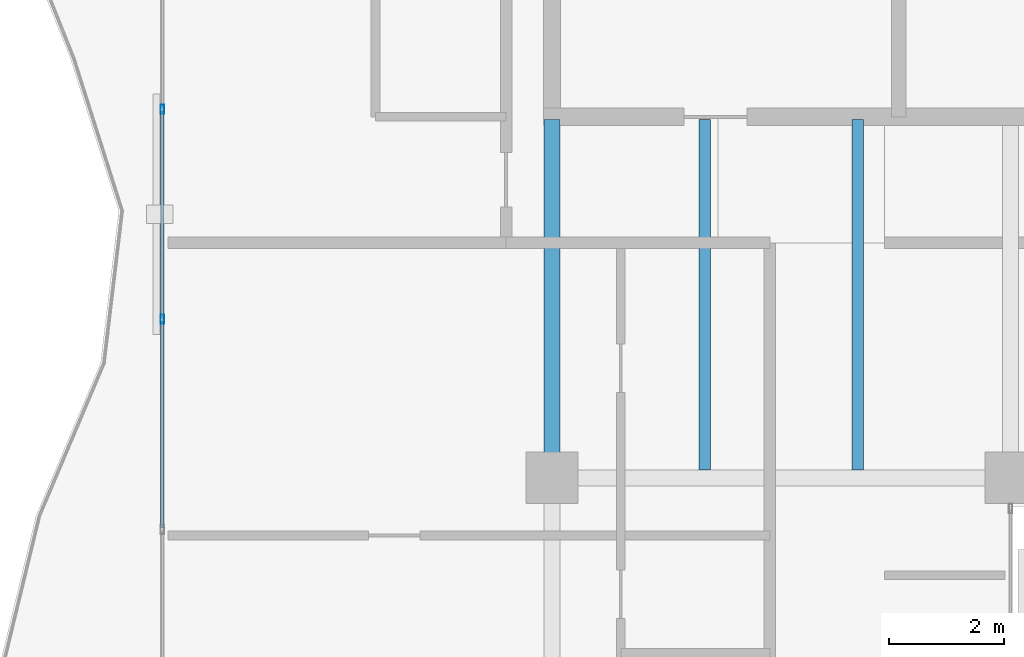
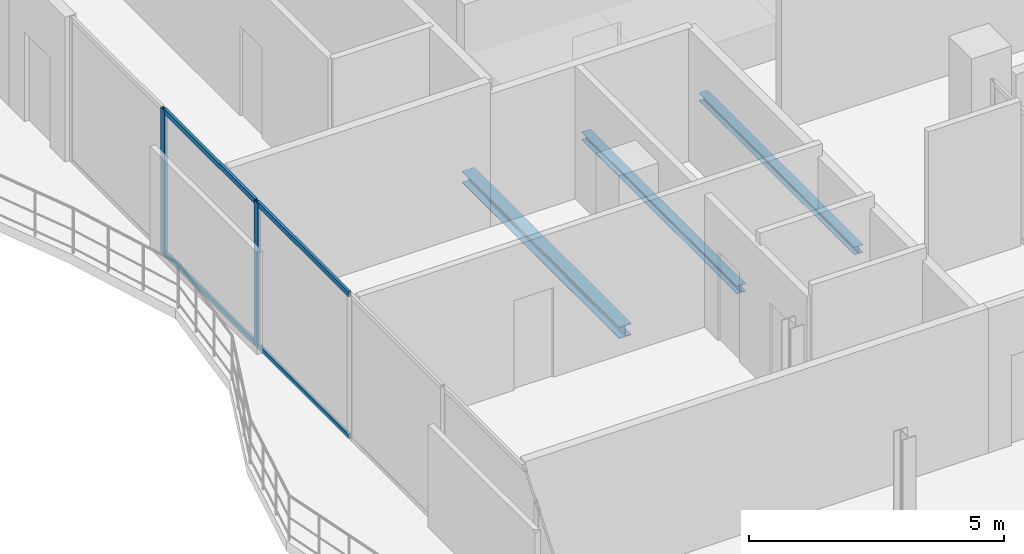
# One storey, part 7 of 16: 6 members, 3 beams, 1 element without a shape of its own.
"""IFC4 building model written with IfcOpenShell, lengths in metres."""

from ifc_helpers import new_model, si_unit, direction, frame, origin, origin_2d, place, context, subcontext, project, spatial, hollow_rectangle, i_section, extrude, material, layer, layer_set, material_profile, profile_set, type_object, element, aggregate, save


model = new_model("IFC4")

# Units and contexts
model_context = context("Model", 3, precision=1e-05, world=origin(), true_north=direction((0.0, 1.0)))
body_context = subcontext(model_context, "Body", "Model", "MODEL_VIEW")
ifc_project = project(units=[si_unit("LENGTHUNIT", "METRE"), si_unit("AREAUNIT", "SQUARE_METRE"), si_unit("VOLUMEUNIT", "CUBIC_METRE"), si_unit("PLANEANGLEUNIT", "RADIAN"), si_unit("MASSUNIT", "GRAM", prefix="KILO")], contexts=[model_context])

# Site, building, storey
site_placement = place(None, origin())
site = spatial("IfcSite", under=ifc_project, at=site_placement, CompositionType="ELEMENT")
building_placement = place(site_placement, origin())
building = spatial("IfcBuilding", under=site, at=building_placement, Name="Catumbela Crestline Tower", CompositionType="ELEMENT")
storey_placement = place(building_placement, frame((0.0, 0.0, 286.8)))
storey = spatial("IfcBuildingStorey", under=building, at=storey_placement, Name="L74", CompositionType="ELEMENT", Elevation=286.8)

# Beams
ifc_material_1 = material(Name="Structural steel S355J2", Category="steel")
ifc_material_profile_1 = material_profile(ifc_material_1, i_section(OverallWidth=0.28, OverallDepth=0.28, WebThickness=0.0105, FlangeThickness=0.018, FilletRadius=0.024, at=origin_2d()), Name="HEB 280")
ifc_profile_set_1 = profile_set([ifc_material_profile_1], Name="Structural steel S355J2")
beam_type_1 = type_object("IfcBeamType", Name="BG-HEB280", PredefinedType="BEAM", material=ifc_profile_set_1)
beam_placement = place(storey_placement, frame((16.0, 24.58, -0.4), z_axis=(0.0, 1.0, 0.0), x_axis=(-1.0, 0.0, 0.0)))
element("IfcBeam", 1, at=beam_placement, inside=storey, type_object=beam_type_1, Name="L74 Beam BM-L74-SNS06", PredefinedType="BEAM", context=body_context, shape_type="SweptSolid", body=[
    extrude(i_section(OverallWidth=0.28, OverallDepth=0.28, WebThickness=0.0105, FlangeThickness=0.018, FilletRadius=0.024, at=origin_2d()), origin(), (0.0, 0.0, 1.0), 6.17),
])
ifc_material_profile_2 = material_profile(ifc_material_1, i_section(OverallWidth=0.2, OverallDepth=0.19, WebThickness=0.0065, FlangeThickness=0.01, FilletRadius=0.018, at=origin_2d()), Name="HEA 200")
ifc_profile_set_2 = profile_set([ifc_material_profile_2], Name="Structural steel S355J2")
beam_type_2 = type_object("IfcBeamType", Name="BJ-HEA200", PredefinedType="JOIST", material=ifc_profile_set_2)
for number, where, z_axis, x_axis, name in (
    (2, (18.667, 24.637, -0.355), (0.0, 1.0, 0.0), (-1.0, 0.0, 0.0), "L74 Joist JS-L74-SP12"),
    (3, (21.333, 24.637, -0.355), (0.0, 1.0, 0.0), (-1.0, 0.0, 0.0), "L74 Joist JS-L74-SP13"),
):
    element("IfcBeam", number, at=place(storey_placement, frame(where, z_axis=z_axis, x_axis=x_axis)), inside=storey, type_object=beam_type_2, Name=name, PredefinedType="JOIST", context=body_context, shape_type="SweptSolid", body=[
        extrude(i_section(OverallWidth=0.2, OverallDepth=0.19, WebThickness=0.0065, FlangeThickness=0.01, FilletRadius=0.018, at=origin_2d()), origin(), (0.0, 0.0, 1.0), 6.113),
    ])

# Curtain wall, members
ifc_material_2 = material(Name="Aluminium alloy AW-6060-T66", Category="aluminium")
ifc_layer = layer(ifc_material_2, 0.18, Name="Aluminium alloy AW-6060-T66")
ifc_layer_set = layer_set([ifc_layer], Name="Aluminium alloy AW-6060-T66")
curtain_wall_type = type_object("IfcCurtainWallType", Name="CWU-Z4", PredefinedType="USERDEFINED", material=ifc_layer_set)
curtain_wall_placement = place(storey_placement, origin())
curtain_wall = element("IfcCurtainWall", 4, at=curtain_wall_placement, inside=storey, type_object=curtain_wall_type, Name="L74 Unitised Curtain Wall CW-L74-E9S2", ObjectType="UNITISED", PredefinedType="USERDEFINED")
ifc_material_profile_3 = material_profile(ifc_material_2, hollow_rectangle(XDim=0.06, YDim=0.16, WallThickness=0.004, at=origin_2d()), Name="ALU 160x60x4")
ifc_profile_set_3 = profile_set([ifc_material_profile_3], Name="Aluminium alloy AW-6060-T66")
member_type_1 = type_object("IfcMemberType", Name="MUL-160X60", PredefinedType="MULLION", material=ifc_profile_set_3)
member_1_placement = place(storey_placement, frame((9.2, 30.9333, 0.0), z_axis=(0.0, 0.0, 1.0), x_axis=(1.0, 0.0, 0.0)))
member_1 = element("IfcMember", 5, at=member_1_placement, type_object=member_type_1, Name="CWU-Z4 mullion 2", PredefinedType="MULLION", context=body_context, shape_type="SweptSolid", body=[
    extrude(hollow_rectangle(XDim=0.06, YDim=0.16, WallThickness=0.004, at=origin_2d()), origin(), (0.0, 0.0, 1.0), 3.47),
])
member_2_placement = place(storey_placement, frame((9.2, 27.2667, 0.0), z_axis=(0.0, 0.0, 1.0), x_axis=(1.0, 0.0, 0.0)))
member_2 = element("IfcMember", 6, at=member_2_placement, type_object=member_type_1, Name="CWU-Z4 mullion 3", PredefinedType="MULLION", context=body_context, shape_type="SweptSolid", body=[
    extrude(hollow_rectangle(XDim=0.06, YDim=0.16, WallThickness=0.004, at=origin_2d()), origin(), (0.0, 0.0, 1.0), 3.47),
])
ifc_material_profile_4 = material_profile(ifc_material_2, hollow_rectangle(XDim=0.06, YDim=0.12, WallThickness=0.0035, at=origin_2d()), Name="ALU 120x60x3.5")
ifc_profile_set_4 = profile_set([ifc_material_profile_4], Name="Aluminium alloy AW-6060-T66")
member_type_2 = type_object("IfcMemberType", Name="TRN-120X60", PredefinedType="USERDEFINED", material=ifc_profile_set_4)
member_3_placement = place(storey_placement, frame((9.2, 30.9008, 0.03), z_axis=(0.0, -1.0, 0.0), x_axis=(1.0, 0.0, 0.0)))
member_3 = element("IfcMember", 7, at=member_3_placement, type_object=member_type_2, Name="CWU-Z4 transom 2.1", ObjectType="TRANSOM", PredefinedType="USERDEFINED", context=body_context, shape_type="SweptSolid", body=[
    extrude(hollow_rectangle(XDim=0.06, YDim=0.12, WallThickness=0.0035, at=origin_2d()), origin(), (0.0, 0.0, 1.0), 3.6016),
])
member_4_placement = place(storey_placement, frame((9.2, 30.9008, 3.44), z_axis=(0.0, -1.0, 0.0), x_axis=(1.0, 0.0, 0.0)))
member_4 = element("IfcMember", 8, at=member_4_placement, type_object=member_type_2, Name="CWU-Z4 transom 2.2", ObjectType="TRANSOM", PredefinedType="USERDEFINED", context=body_context, shape_type="SweptSolid", body=[
    extrude(hollow_rectangle(XDim=0.06, YDim=0.12, WallThickness=0.0035, at=origin_2d()), origin(), (0.0, 0.0, 1.0), 3.6016),
])
member_5_placement = place(storey_placement, frame((9.2, 27.2342, 0.03), z_axis=(0.0, -1.0, 0.0), x_axis=(1.0, 0.0, 0.0)))
member_5 = element("IfcMember", 9, at=member_5_placement, type_object=member_type_2, Name="CWU-Z4 transom 3.1", ObjectType="TRANSOM", PredefinedType="USERDEFINED", context=body_context, shape_type="SweptSolid", body=[
    extrude(hollow_rectangle(XDim=0.06, YDim=0.12, WallThickness=0.0035, at=origin_2d()), origin(), (0.0, 0.0, 1.0), 3.6017),
])
member_6_placement = place(storey_placement, frame((9.2, 27.2342, 3.44), z_axis=(0.0, -1.0, 0.0), x_axis=(1.0, 0.0, 0.0)))
member_6 = element("IfcMember", 10, at=member_6_placement, type_object=member_type_2, Name="CWU-Z4 transom 3.2", ObjectType="TRANSOM", PredefinedType="USERDEFINED", context=body_context, shape_type="SweptSolid", body=[
    extrude(hollow_rectangle(XDim=0.06, YDim=0.12, WallThickness=0.0035, at=origin_2d()), origin(), (0.0, 0.0, 1.0), 3.6017),
])
aggregate(curtain_wall, [member_1, member_2, member_3, member_4, member_5, member_6])

save(model, "model.ifc")
